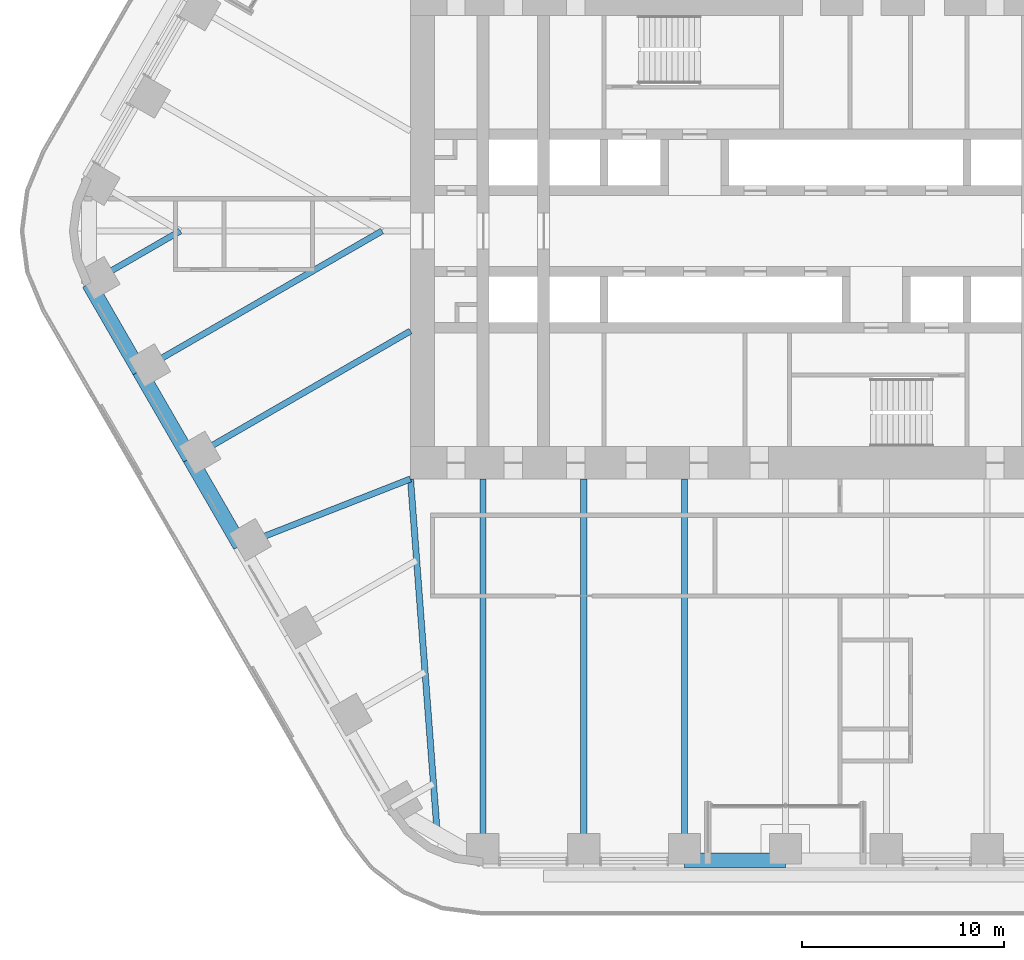
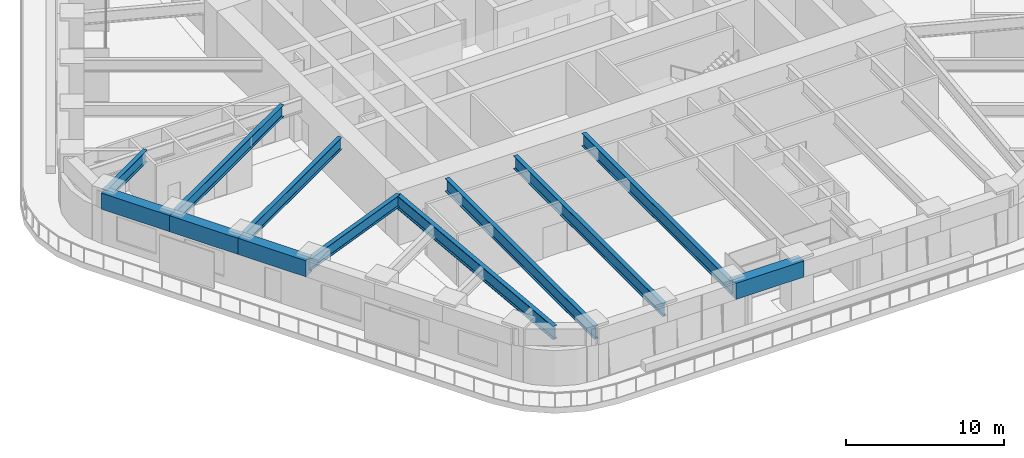
# One storey, part 3 of 24: 12 beams.
"""IFC4 building model written with IfcOpenShell, lengths in metres."""

import ifcopenshell
import ifcopenshell.guid

model = None  # the IFC model being written
_history = None  # IfcOwnerHistory: only IFC2X3 demands one
_inside = {}  # id of a spatial element -> (the spatial element, [elements in it])
_under = {}  # id of a project, library or spatial element -> (it, [spatial elements below it])
_declared = {}  # id of a project -> (the project, [libraries it declares])
_typed = {}  # id of a type object -> (the type object, [elements of that type])
_made_of = {}  # id of a material, layer set ... -> (it, [elements and type objects made of it])


def new_model(schema):
    """Start an empty IFC model of exactly this schema.

    Asked for "IFC4X3", IfcOpenShell would pick the latest addendum, in which some entities
    have other attributes; the version numbers below select the first issue.
    IFC2X3 requires an IfcOwnerHistory on every rooted entity: one is made here for all.
    """
    global model, _history
    if schema == "IFC4X3":
        model = ifcopenshell.file(schema_version=(4, 3, 0, 0))
    else:
        model = ifcopenshell.file(schema=schema)
    _inside.clear()
    _under.clear()
    _declared.clear()
    _typed.clear()
    _made_of.clear()
    _history = None
    if model.schema == "IFC2X3":
        org = make("IfcOrganization", Name="unknown")
        user = make(
            "IfcPersonAndOrganization",
            ThePerson=make("IfcPerson", FamilyName="unknown"),
            TheOrganization=org,
        )
        app = make(
            "IfcApplication",
            ApplicationDeveloper=org,
            Version="unknown",
            ApplicationFullName="unknown",
            ApplicationIdentifier="unknown",
        )
        _history = make(
            "IfcOwnerHistory",
            OwningUser=user,
            OwningApplication=app,
            ChangeAction="ADDED",
            CreationDate=0,
        )
    return model


def make(cls, **values):
    """One entity of the class cls with the attributes given. An attribute that is None is left unset."""
    return model.create_entity(
        cls, **{name: value for name, value in values.items() if value is not None}
    )


def rooted(cls, **values):
    """An entity with a GlobalId (a new one), such as an element, a storey or a relation."""
    return make(cls, GlobalId=ifcopenshell.guid.new(), OwnerHistory=_history, **values)


def si_unit(unit_type, name, prefix=None):
    """IfcSIUnit, for example si_unit("LENGTHUNIT", "METRE", prefix="MILLI")."""
    return make("IfcSIUnit", UnitType=unit_type, Prefix=prefix, Name=name)


def assignment(units):
    """IfcUnitAssignment: the units of a project."""
    return None if units is None else make("IfcUnitAssignment", Units=units)


def point(xyz):
    """IfcCartesianPoint."""
    return None if xyz is None else make("IfcCartesianPoint", Coordinates=xyz)


def direction(xyz):
    """IfcDirection."""
    return None if xyz is None else make("IfcDirection", DirectionRatios=xyz)


def frame(location, z_axis=None, x_axis=None):
    """IfcAxis2Placement3D, a coordinate frame: its origin and axes. An axis left out is left unset."""
    return make(
        "IfcAxis2Placement3D",
        Location=point(location),
        Axis=direction(z_axis),
        RefDirection=direction(x_axis),
    )


def frame_2d(location, x_axis=None):
    """IfcAxis2Placement2D, a coordinate frame in the plane: its origin and x axis."""
    return make(
        "IfcAxis2Placement2D", Location=point(location), RefDirection=direction(x_axis)
    )


def origin():
    """The frame at (0, 0, 0) with its axes left unset."""
    return frame((0.0, 0.0, 0.0))


def origin_2d():
    """The frame at (0, 0) in the plane with its x axis left unset."""
    return frame_2d((0.0, 0.0))


def place(relative_to, where):
    """IfcLocalPlacement: puts the frame where relative to a parent placement (None: the world)."""
    return make(
        "IfcLocalPlacement", PlacementRelTo=relative_to, RelativePlacement=where
    )


def context(
    kind, dimensions, precision=None, world=None, true_north=None, identifier=None
):
    """IfcGeometricRepresentationContext, for example the 3D "Model" context."""
    return make(
        "IfcGeometricRepresentationContext",
        ContextIdentifier=identifier,
        ContextType=kind,
        CoordinateSpaceDimension=dimensions,
        Precision=precision,
        WorldCoordinateSystem=world,
        TrueNorth=true_north,
    )


def subcontext(parent, identifier, kind, view, scale=None):
    """IfcGeometricRepresentationSubContext, for example "Body" below "Model"."""
    return make(
        "IfcGeometricRepresentationSubContext",
        ContextIdentifier=identifier,
        ContextType=kind,
        ParentContext=parent,
        TargetScale=scale,
        TargetView=view,
    )


def project(units=None, contexts=None):
    """IfcProject with its units and contexts."""
    return rooted(
        "IfcProject",
        Name="project",
        RepresentationContexts=contexts,
        UnitsInContext=assignment(units),
    )


def spatial(cls, under=None, at=None, **own):
    """A site, building, storey or space (cls), placed at a placement, below another one or the project."""
    s = rooted(cls, ObjectPlacement=at, **own)
    if under is not None:
        _under.setdefault(under.id(), (under, []))[1].append(s)
    return s


def profile(cls, at=None, kind="AREA", **sizes):
    """A parametric profile (cls). Its sizes go by their IFC names, for example OverallWidth=200.0."""
    return make(cls, ProfileType=kind, Position=at, **sizes)


def rectangle(**sizes):
    """IfcRectangleProfileDef."""
    return profile("IfcRectangleProfileDef", **sizes)


def i_section(**sizes):
    """IfcIShapeProfileDef."""
    return profile("IfcIShapeProfileDef", **sizes)


def extrude(swept, where, along, depth):
    """IfcExtrudedAreaSolid: the profile swept, set in the frame where, extruded along a direction by depth."""
    return make(
        "IfcExtrudedAreaSolid",
        SweptArea=swept,
        Position=where,
        ExtrudedDirection=direction(along),
        Depth=depth,
    )


def shape(context_of_items, identifier, shape_type, items):
    """IfcShapeRepresentation: the items that make up one representation, for example the "Body"."""
    return make(
        "IfcShapeRepresentation",
        ContextOfItems=context_of_items,
        RepresentationIdentifier=identifier,
        RepresentationType=shape_type,
        Items=items,
    )


def material(Name=None, Category=None):
    """IfcMaterial."""
    return make("IfcMaterial", Name=Name, Category=Category)


def material_profile(
    of_material, cross_section, Name=None, Category=None, Priority=None
):
    """IfcMaterialProfile: a cross section and its material."""
    return make(
        "IfcMaterialProfile",
        Name=Name,
        Material=of_material,
        Profile=cross_section,
        Priority=Priority,
        Category=Category,
    )


def profile_set(profiles, Name=None, composite=None):
    """IfcMaterialProfileSet."""
    return make(
        "IfcMaterialProfileSet",
        Name=Name,
        MaterialProfiles=profiles,
        CompositeProfile=composite,
    )


def made_of(thing, what):
    """Note that an element or type object is made of a material, layer set ...; save() writes the relation."""
    if what is not None:
        _made_of.setdefault(what.id(), (what, []))[1].append(thing)
    return thing


def type_object(cls, material=None, **own):
    """A type object (cls), such as IfcWallType, which elements share."""
    return made_of(rooted(cls, **own), material)


def element(
    cls,
    number,
    at=None,
    inside=None,
    cuts=None,
    type_object=None,
    material=None,
    context=None,
    identifier="Body",
    shape_type=None,
    held_by="IfcProductDefinitionShape",
    body=None,
    shapes=None,
    **own,
):
    """One element of the class cls, such as IfcWall. Its Tag is "e" and its number.

    at: its placement. inside: the storey or other place that contains it. cuts: it is an
    opening in that element (IfcRelVoidsElement). A single representation is given by context,
    identifier, shape_type and body (its items); several are given by shapes. held_by: the class
    of the entity that holds the representations. save() writes the other relations.
    """
    e = rooted(cls, Tag="e%d" % number, ObjectPlacement=at, **own)
    if body is not None:
        shapes = [shape(context, identifier, shape_type, body)]
    if shapes is not None:
        e.Representation = make(held_by, Representations=shapes)
    if inside is not None:
        _inside.setdefault(inside.id(), (inside, []))[1].append(e)
    if cuts is not None:
        rooted(
            "IfcRelVoidsElement", RelatingBuildingElement=cuts, RelatedOpeningElement=e
        )
    if type_object is not None:
        _typed.setdefault(type_object.id(), (type_object, []))[1].append(e)
    return made_of(e, material)


def aggregate(whole, parts):
    """IfcRelAggregates: a whole, such as a stair, and the parts it consists of."""
    return rooted("IfcRelAggregates", RelatingObject=whole, RelatedObjects=parts)


def save(model, path):
    """Write the relations noted so far, then the file.

    IfcRelAggregates (storeys below a building ...), IfcRelContainedInSpatialStructure (elements
    in a storey), IfcRelDefinesByType, IfcRelAssociatesMaterial and IfcRelDeclares: one each for
    every whole, place, type object, material and project.
    """
    for whole, parts in _under.values():
        aggregate(whole, parts)
    for where, things in _inside.values():
        rooted(
            "IfcRelContainedInSpatialStructure",
            RelatedElements=things,
            RelatingStructure=where,
        )
    for kind, things in _typed.values():
        rooted("IfcRelDefinesByType", RelatedObjects=things, RelatingType=kind)
    for what, things in _made_of.values():
        rooted("IfcRelAssociatesMaterial", RelatedObjects=things, RelatingMaterial=what)
    for by, libraries in _declared.values():
        rooted("IfcRelDeclares", RelatingContext=by, RelatedDefinitions=libraries)
    model.write(path)


model = new_model("IFC4")

# Units and contexts
model_context = context("Model", 3, precision=1e-05, world=origin(), true_north=direction((0.0, 1.0)))
body_context = subcontext(model_context, "Body", "Model", "MODEL_VIEW")
ifc_project = project(units=[si_unit("LENGTHUNIT", "METRE"), si_unit("AREAUNIT", "SQUARE_METRE"), si_unit("VOLUMEUNIT", "CUBIC_METRE"), si_unit("PLANEANGLEUNIT", "RADIAN"), si_unit("MASSUNIT", "GRAM", prefix="KILO")], contexts=[model_context])

# Site, building, storey
site_placement = place(None, origin())
site = spatial("IfcSite", under=ifc_project, at=site_placement, CompositionType="ELEMENT")
building_placement = place(site_placement, origin())
building = spatial("IfcBuilding", under=site, at=building_placement, Name="Tarfa Lantern Tower", CompositionType="ELEMENT")
storey_placement = place(building_placement, frame((0.0, 0.0, 157.300048828125)))
storey = spatial("IfcBuildingStorey", under=building, at=storey_placement, Name="L35", CompositionType="ELEMENT", Elevation=157.300048828125)

# Beams
ifc_material_1 = material(Name="Concrete C80/95", Category="concrete")
ifc_material_profile_1 = material_profile(ifc_material_1, rectangle(XDim=0.75, YDim=1.25, at=origin_2d()), Name="RC 750x1250")
ifc_profile_set_1 = profile_set([ifc_material_profile_1], Name="Concrete C80/95")
beam_type_1 = type_object("IfcBeamType", Name="EB2 RC 750x1250", PredefinedType="SPANDREL", material=ifc_profile_set_1)
for number, where, z_axis, x_axis, name in (
    (1, (-34.54296875, -2.610107421875, 3.375), (0.500022324899, -0.866012514114, 0.0), (0.866012514114, 0.500022324899, 0.0), "Edge beam SW0"),
    (2, (-32.041015625, -6.943359375, 3.375), (0.500022324899, -0.866012514114, 0.0), (0.866012514114, 0.500022324899, 0.0), "Edge beam SW1"),
    (3, (-29.5390625, -11.276611328125, 3.375), (0.499964603504, -0.866045838996, 0.0), (0.866045838996, 0.499964603504, 0.0), "Edge beam SW2"),
    (4, (-5.003662109375, -31.219970703125, 3.375), (1.0, 0.0, 0.0), (0.0, 1.0, 0.0), "Edge beam S2"),
):
    element("IfcBeam", number, at=place(storey_placement, frame(where, z_axis=z_axis, x_axis=x_axis)), inside=storey, type_object=beam_type_1, Name=name, PredefinedType="SPANDREL", context=body_context, shape_type="SweptSolid", body=[
        extrude(rectangle(XDim=0.75, YDim=1.25, at=origin_2d()), origin(), (0.0, 0.0, 1.0), 5.003662109375),
    ])
ifc_material_2 = material(Name="Steel S460M", Category="steel")
ifc_material_profile_2 = material_profile(ifc_material_2, i_section(OverallWidth=0.302001953125, OverallDepth=1.008056640625, WebThickness=0.02099609375, FlangeThickness=0.0400390625, FilletRadius=0.030029296875, at=origin_2d()), Name="UB1016x305x349")
ifc_profile_set_2 = profile_set([ifc_material_profile_2], Name="Steel S460M")
beam_type_2 = type_object("IfcBeamType", Name="UB1016x305x349", PredefinedType="BEAM", material=ifc_profile_set_2)
for number, where, z_axis, x_axis, name in (
    (5, (-15.010986328125, -31.219970703125, 3.495849609375), (0.0, 1.0, 0.0), (-1.0, 0.0, 0.0), "Floor beam S0"),
    (6, (-10.00732421875, -31.219970703125, 3.495849609375), (0.0, 1.0, 0.0), (-1.0, 0.0, 0.0), "Floor beam S1"),
    (7, (-5.003662109375, -31.219970703125, 3.495849609375), (0.0, 1.0, 0.0), (-1.0, 0.0, 0.0), "Floor beam S2"),
):
    element("IfcBeam", number, at=place(storey_placement, frame(where, z_axis=z_axis, x_axis=x_axis)), inside=storey, type_object=beam_type_2, Name=name, PredefinedType="BEAM", context=body_context, shape_type="SweptSolid", body=[
        extrude(i_section(OverallWidth=0.302001953125, OverallDepth=1.008056640625, WebThickness=0.02099609375, FlangeThickness=0.0400390625, FilletRadius=0.030029296875, at=origin_2d()), origin(), (0.0, 0.0, 1.0), 18.919921875),
    ])
ifc_material_profile_3 = material_profile(ifc_material_2, i_section(OverallWidth=0.30859375, OverallDepth=1.036376953125, WebThickness=0.030029296875, FlangeThickness=0.05419921875, FilletRadius=0.030029296875, at=origin_2d()), Name="UB1016x305x487")
ifc_profile_set_3 = profile_set([ifc_material_profile_3], Name="Steel S460M")
beam_type_3 = type_object("IfcBeamType", Name="UB1016x305x487", PredefinedType="BEAM", material=ifc_profile_set_3)
beam_1_placement = place(storey_placement, frame((-18.60009765625, -12.300048828125, 3.481689453125), z_axis=(0.075211516041, -0.99716760269, 0.0), x_axis=(0.99716760269, 0.075211516041, 0.0)))
element("IfcBeam", 8, at=beam_1_placement, inside=storey, type_object=beam_type_3, Name="Hip girder SW", PredefinedType="BEAM", context=body_context, shape_type="SweptSolid", body=[
    extrude(i_section(OverallWidth=0.30859375, OverallDepth=1.036376953125, WebThickness=0.030029296875, FlangeThickness=0.05419921875, FilletRadius=0.030029296875, at=origin_2d()), origin(), (0.0, 0.0, 1.0), 17.6650390625),
])
ifc_material_profile_4 = material_profile(ifc_material_2, i_section(OverallWidth=0.305419921875, OverallDepth=0.91845703125, WebThickness=0.017333984375, FlangeThickness=0.02783203125, FilletRadius=0.01904296875, at=origin_2d()), Name="UB914x305x253")
ifc_profile_set_4 = profile_set([ifc_material_profile_4], Name="Steel S460M")
beam_type_4 = type_object("IfcBeamType", Name="UB914x305x253", PredefinedType="BEAM", material=ifc_profile_set_4)
beam_2_placement = place(storey_placement, frame((-34.54296875, -2.610107421875, 3.540771484375), z_axis=(0.866021250859, 0.500007193008, 0.0), x_axis=(-0.500007193008, 0.866021250859, 0.0)))
element("IfcBeam", 9, at=beam_2_placement, inside=storey, type_object=beam_type_4, Name="Floor beam SW0", PredefinedType="BEAM", context=body_context, shape_type="SweptSolid", body=[
    extrude(i_section(OverallWidth=0.305419921875, OverallDepth=0.91845703125, WebThickness=0.017333984375, FlangeThickness=0.02783203125, FilletRadius=0.01904296875, at=origin_2d()), origin(), (0.0, 0.0, 1.0), 5.22021484375),
])
beam_3_placement = place(storey_placement, frame((-32.041015625, -6.943359375, 3.540771484375), z_axis=(0.866023096411, 0.500003996466, 0.0), x_axis=(-0.500003996466, 0.866023096411, 0.0)))
element("IfcBeam", 10, at=beam_3_placement, inside=storey, type_object=beam_type_4, Name="Floor beam SW1", PredefinedType="BEAM", context=body_context, shape_type="SweptSolid", body=[
    extrude(i_section(OverallWidth=0.305419921875, OverallDepth=0.91845703125, WebThickness=0.017333984375, FlangeThickness=0.02783203125, FilletRadius=0.01904296875, at=origin_2d()), origin(), (0.0, 0.0, 1.0), 13.88671875),
])
beam_4_placement = place(storey_placement, frame((-29.5390625, -11.276611328125, 3.540771484375), z_axis=(0.866023362995, 0.500003534735, 0.0), x_axis=(-0.500003534735, 0.866023362995, 0.0)))
element("IfcBeam", 11, at=beam_4_placement, inside=storey, type_object=beam_type_4, Name="Floor beam SW2", PredefinedType="BEAM", context=body_context, shape_type="SweptSolid", body=[
    extrude(i_section(OverallWidth=0.305419921875, OverallDepth=0.91845703125, WebThickness=0.017333984375, FlangeThickness=0.02783203125, FilletRadius=0.01904296875, at=origin_2d()), origin(), (0.0, 0.0, 1.0), 12.63134765625),
])
beam_5_placement = place(storey_placement, frame((-27.037353515625, -15.610107421875, 3.540771484375), z_axis=(0.930923282782, 0.365214788274, 0.0), x_axis=(-0.365214788274, 0.930923282782, 0.0)))
element("IfcBeam", 12, at=beam_5_placement, inside=storey, type_object=beam_type_4, Name="Floor beam SW3", PredefinedType="BEAM", context=body_context, shape_type="SweptSolid", body=[
    extrude(i_section(OverallWidth=0.305419921875, OverallDepth=0.91845703125, WebThickness=0.017333984375, FlangeThickness=0.02783203125, FilletRadius=0.01904296875, at=origin_2d()), origin(), (0.0, 0.0, 1.0), 9.063232421875),
])

save(model, "model.ifc")
